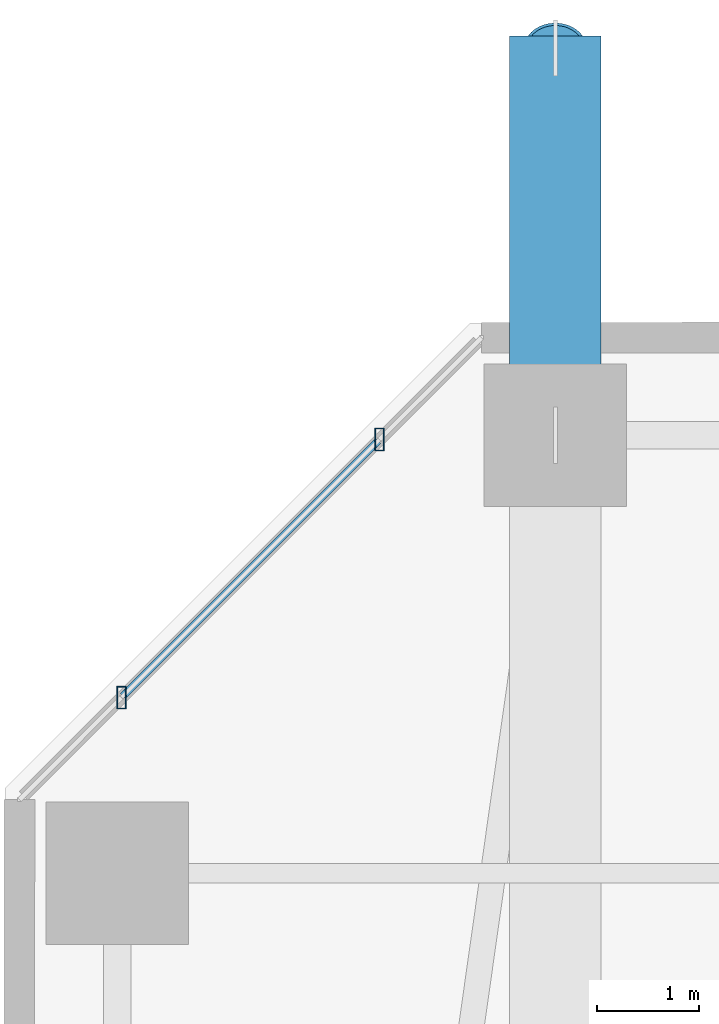
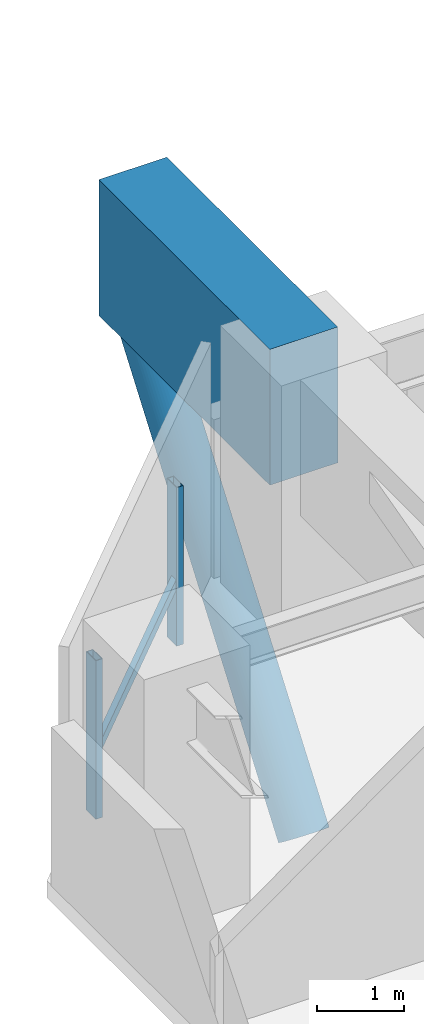
# One storey, part 15 of 36: 4 members, 1 beam, 1 element without a shape of its own.
"""IFC4 building model written with IfcOpenShell, lengths in metres."""

from ifc_helpers import new_model, si_unit, direction, frame, origin, origin_2d, place, context, subcontext, project, spatial, rectangle, hollow_rectangle, hollow_circle, extrude, material, material_profile, profile_set, type_object, element, aggregate, save


model = new_model("IFC4")

# Units and contexts
model_context = context("Model", 3, precision=1e-05, world=origin(), true_north=direction((0.0, 1.0)))
body_context = subcontext(model_context, "Body", "Model", "MODEL_VIEW")
ifc_project = project(units=[si_unit("LENGTHUNIT", "METRE"), si_unit("AREAUNIT", "SQUARE_METRE"), si_unit("VOLUMEUNIT", "CUBIC_METRE"), si_unit("PLANEANGLEUNIT", "RADIAN"), si_unit("MASSUNIT", "GRAM", prefix="KILO")], contexts=[model_context])

# Site, building, storey
site_placement = place(None, origin())
site = spatial("IfcSite", under=ifc_project, at=site_placement, CompositionType="ELEMENT")
building_placement = place(site_placement, origin())
building = spatial("IfcBuilding", under=site, at=building_placement, Name="Thornwick Lancets Civic Towers", CompositionType="ELEMENT")
storey_placement = place(building_placement, frame((0.0, 0.0, 45.89990234375)))
storey = spatial("IfcBuildingStorey", under=building, at=storey_placement, Name="L11", CompositionType="ELEMENT", Elevation=45.89990234375)

# Beam
ifc_material_1 = material(Name="Concrete C60/75", Category="concrete")
ifc_material_profile_1 = material_profile(ifc_material_1, rectangle(XDim=0.89990234375, YDim=1.89990234375, at=origin_2d()), Name="RC 900x1900")
ifc_profile_set_1 = profile_set([ifc_material_profile_1], Name="Concrete C60/75")
beam_type = type_object("IfcBeamType", Name="BM_TR_RC1900", PredefinedType="BEAM", material=ifc_profile_set_1)
beam_placement = place(storey_placement, frame((75.5, 44.300048828125, 2.650146484375), z_axis=(0.0, 1.0, 0.0), x_axis=(-1.0, 0.0, 0.0)))
element("IfcBeam", 1, at=beam_placement, inside=storey, type_object=beam_type, Name="TG-CANT-L12-B06", PredefinedType="BEAM", context=body_context, shape_type="SweptSolid", body=[
    extrude(rectangle(XDim=0.89990234375, YDim=1.89990234375, at=origin_2d()), origin(), (0.0, 0.0, 1.0), 3.919921875),
])

# Curtain wall, members
ifc_material_2 = material(Name="Low-zone chamfered-corner unitised glass curtain wall", Category="glass")
curtain_wall_type = type_object("IfcCurtainWallType", Name="CW_SYS_03", PredefinedType="NOTDEFINED", material=ifc_material_2)
curtain_wall_placement = place(storey_placement, origin())
curtain_wall = element("IfcCurtainWall", 2, at=curtain_wall_placement, inside=storey, type_object=curtain_wall_type, Name="L11 Curtain Wall CW-L11-B-E5", PredefinedType="NOTDEFINED")
ifc_material_3 = material(Name="Thermally broken bronze aluminium S355", Category="steel")
ifc_material_profile_2 = material_profile(ifc_material_3, hollow_rectangle(XDim=0.090087890625, YDim=0.219970703125, WallThickness=0.00634765625, at=origin_2d()), Name="RHS 220x90x6.3")
ifc_profile_set_2 = profile_set([ifc_material_profile_2], Name="Thermally broken bronze aluminium S355")
member_type_1 = type_object("IfcMemberType", Name="CW_MUL_220", PredefinedType="MULLION", material=ifc_profile_set_2)
member_1_placement = place(storey_placement, frame((73.7744140625, 44.2578125, 0.0), z_axis=(0.0, 0.0, 1.0), x_axis=(1.0, 0.0, 0.0)))
member_1 = element("IfcMember", 3, at=member_1_placement, type_object=member_type_1, Name="CW-L11-B-E5 Mullion 0", PredefinedType="MULLION", context=body_context, shape_type="SweptSolid", body=[
    extrude(hollow_rectangle(XDim=0.090087890625, YDim=0.219970703125, WallThickness=0.00634765625, at=origin_2d()), origin(), (0.0, 0.0, 1.0), 2.22021484375),
])
member_2_placement = place(storey_placement, frame((71.2421875, 41.7255859375, 0.0), z_axis=(0.0, 0.0, 1.0), x_axis=(1.0, 0.0, 0.0)))
member_2 = element("IfcMember", 4, at=member_2_placement, type_object=member_type_1, Name="CW-L11-B-E5 Mullion 1", PredefinedType="MULLION", context=body_context, shape_type="SweptSolid", body=[
    extrude(hollow_rectangle(XDim=0.090087890625, YDim=0.219970703125, WallThickness=0.00634765625, at=origin_2d()), origin(), (0.0, 0.0, 1.0), 2.22021484375),
])
ifc_material_profile_3 = material_profile(ifc_material_3, hollow_rectangle(XDim=0.074951171875, YDim=0.14990234375, WallThickness=0.0048828125, at=origin_2d()), Name="RHS 150x75x5")
ifc_profile_set_3 = profile_set([ifc_material_profile_3], Name="Thermally broken bronze aluminium S355")
member_type_2 = type_object("IfcMemberType", Name="CW_TRN_150", PredefinedType="USERDEFINED", material=ifc_profile_set_3)
member_3_placement = place(storey_placement, frame((73.760498046875, 44.24365234375, 0.85009765625), z_axis=(-0.707106781187, -0.707106781187, 0.0), x_axis=(0.707106781187, -0.707106781187, 0.0)))
member_3 = element("IfcMember", 5, at=member_3_placement, type_object=member_type_2, Name="CW-L11-B-E5 Transom 0", ObjectType="TRANSOM", PredefinedType="USERDEFINED", context=body_context, shape_type="SweptSolid", body=[
    extrude(hollow_rectangle(XDim=0.074951171875, YDim=0.14990234375, WallThickness=0.0048828125, at=origin_2d()), origin(), (0.0, 0.0, 1.0), 3.54150390625),
])
aggregate(curtain_wall, [member_1, member_2, member_3])

# Member
ifc_material_4 = material(Name="Steel S460M", Category="steel")
ifc_material_profile_4 = material_profile(ifc_material_4, hollow_circle(Radius=0.304931640625, WallThickness=0.030029296875, at=origin_2d()), Name="CHS 610x30")
ifc_profile_set_4 = profile_set([ifc_material_profile_4], Name="Steel S460M")
member_type_3 = type_object("IfcMemberType", Name="MEM_STRUT_CHS610", PredefinedType="STRUT", material=ifc_profile_set_4)
member_4_placement = place(storey_placement, frame((75.5, 44.300048828125, -3.349853515625), z_axis=(0.0, 0.595241268987, 0.803547031414), x_axis=(-1.0, 0.0, 0.0)))
element("IfcMember", 6, at=member_4_placement, inside=storey, type_object=member_type_3, Name="L12 Jenga Transfer Raking Strut B06", PredefinedType="STRUT", context=body_context, shape_type="SweptSolid", body=[
    extrude(hollow_circle(Radius=0.304931640625, WallThickness=0.030029296875, at=origin_2d()), origin(), (0.0, 0.0, 1.0), 6.384033203125),
])

save(model, "model.ifc")
